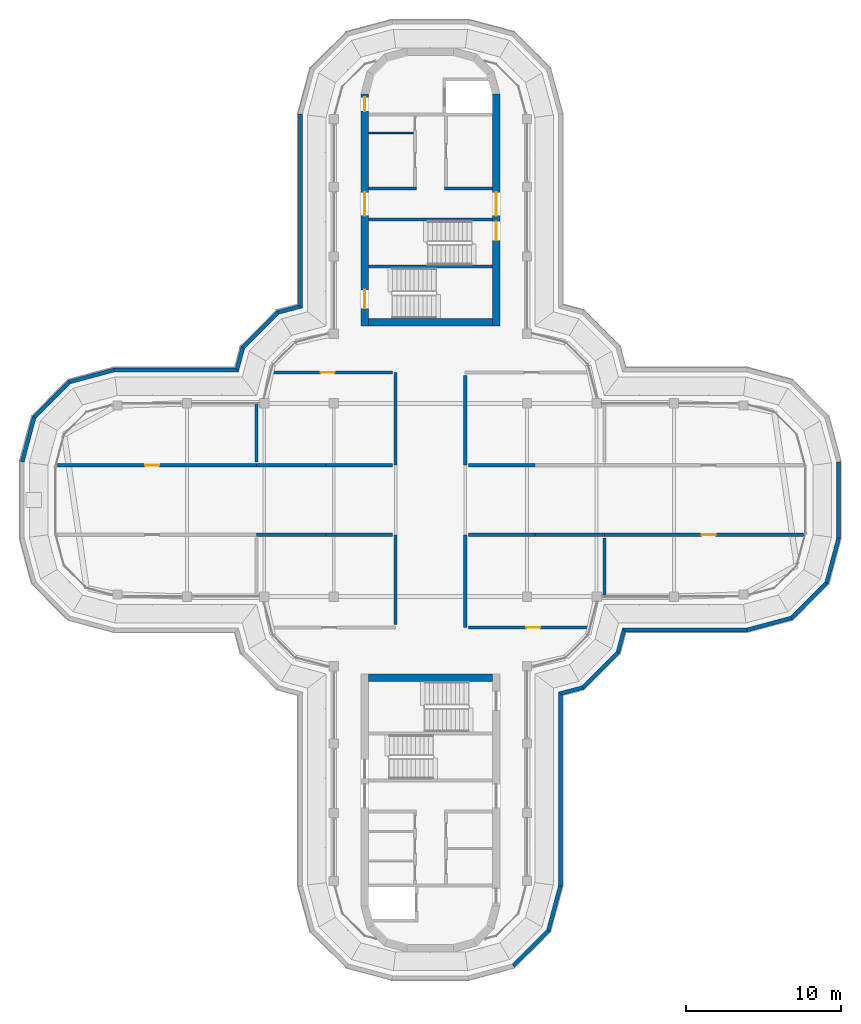
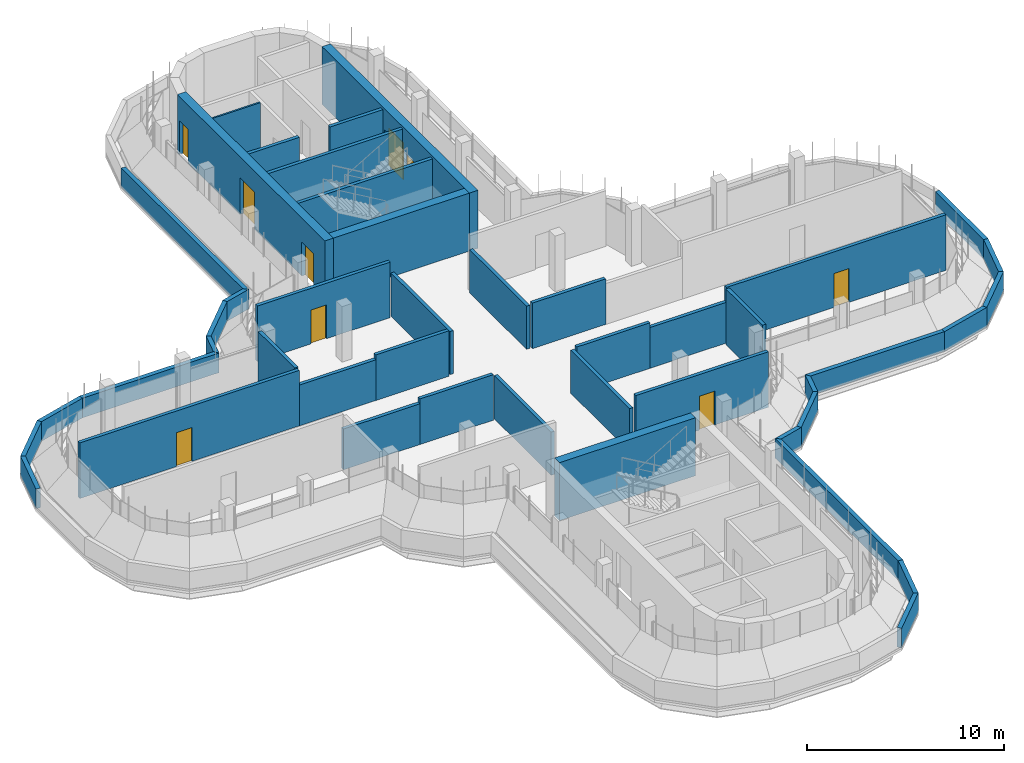
# One storey, part 13 of 19: 45 walls, 9 doors, 9 openings.
"""IFC4 building model written with IfcOpenShell, lengths in metres."""

from ifc_helpers import new_model, si_unit, direction, frame, frame_2d, origin, place, context, subcontext, project, spatial, polyline, rectangle, outline, extrude, material, layer, layer_set, type_object, element, fill, save


model = new_model("IFC4")

# Units and contexts
model_context = context("Model", 3, precision=1e-05, world=origin(), true_north=direction((0.0, 1.0)))
body_context = subcontext(model_context, "Body", "Model", "MODEL_VIEW")
ifc_project = project(units=[si_unit("LENGTHUNIT", "METRE"), si_unit("AREAUNIT", "SQUARE_METRE"), si_unit("VOLUMEUNIT", "CUBIC_METRE"), si_unit("PLANEANGLEUNIT", "RADIAN"), si_unit("MASSUNIT", "GRAM", prefix="KILO")], contexts=[model_context])

# Site, building, storey
site_placement = place(None, origin())
site = spatial("IfcSite", under=ifc_project, at=site_placement, CompositionType="ELEMENT")
building_placement = place(site_placement, origin())
building = spatial("IfcBuilding", under=site, at=building_placement, Name="Zarbagh Exchange Tower", CompositionType="ELEMENT")
storey_placement = place(building_placement, frame((0.0, 0.0, 295.199951171875)))
storey = spatial("IfcBuildingStorey", under=building, at=storey_placement, Name="L72", CompositionType="ELEMENT", Elevation=295.199951171875)

# Walls
ifc_material_1 = material(Name="Dense blockwork", Category="masonry")
ifc_layer_1 = layer(ifc_material_1, 0.10009765625)
ifc_layer_set_1 = layer_set([ifc_layer_1], Name="Core partition 100 mm blockwork")
wall_type_1 = type_object("IfcWallType", Name="Core partition 100 mm blockwork", PredefinedType="PARTITIONING", material=ifc_layer_set_1)
wall_1_placement = place(storey_placement, frame((-4.0, 23.75, 0.0), z_axis=(0.0, 0.0, 1.0), x_axis=(1.0, 0.0, 0.0)))
element("IfcWall", 1, at=wall_1_placement, inside=storey, type_object=wall_type_1, Name="North core partition wall CUT-W-460", PredefinedType="PARTITIONING", context=body_context, shape_type="SweptSolid", body=[
    extrude(rectangle(XDim=2.89990234375, YDim=0.10009765625, at=frame_2d((1.449951171875, 0.0))), origin(), (0.0, 0.0, 1.0), 3.449951171875),
])
ifc_material_2 = material(Name="Concrete block partition", Category="concrete")
ifc_layer_2 = layer(ifc_material_2, 0.199951171875)
ifc_layer_set_2 = layer_set([ifc_layer_2], Name="Fire-rated block partition 200 EI 60")
wall_type_2 = type_object("IfcWallType", Name="Fire-rated block partition 200 EI 60", PredefinedType="PARTITIONING", material=ifc_layer_set_2)
wall_2_placement = place(storey_placement, frame((2.25, 8.050048828125, 0.0), z_axis=(0.0, 0.0, 1.0), x_axis=(0.0, -1.0, 0.0)))
element("IfcWall", 2, at=wall_2_placement, inside=storey, type_object=wall_type_2, Name="WL-L72-W002", PredefinedType="PARTITIONING", context=body_context, shape_type="SweptSolid", body=[
    extrude(rectangle(XDim=5.800048828125, YDim=0.199951171875, at=frame_2d((2.89990234375, 0.0))), origin(), (0.0, 0.0, 1.0), 2.680908203125),
])
wall_3_placement = place(storey_placement, frame((2.25, -2.25, 0.0), z_axis=(0.0, 0.0, 1.0), x_axis=(0.0, -1.0, 0.0)))
element("IfcWall", 3, at=wall_3_placement, inside=storey, type_object=wall_type_2, Name="WL-L72-W003", PredefinedType="PARTITIONING", context=body_context, shape_type="SweptSolid", body=[
    extrude(rectangle(XDim=6.0, YDim=0.199951171875, at=frame_2d((3.0, 0.0))), origin(), (0.0, 0.0, 1.0), 2.680908203125),
])

# Wall, opening, door
wall_4_placement = place(storey_placement, frame((2.449951171875, -8.25, 0.0), z_axis=(0.0, 0.0, 1.0), x_axis=(1.0, 0.0, 0.0)))
wall_4 = element("IfcWall", 4, at=wall_4_placement, inside=storey, type_object=wall_type_2, Name="WL-L72-W004", PredefinedType="PARTITIONING", context=body_context, shape_type="SweptSolid", body=[
    extrude(rectangle(XDim=7.7880859375, YDim=0.199951171875, at=frame_2d((3.89404296875, 0.0))), origin(), (0.0, 0.0, 1.0), 3.449951171875),
])
opening_1_placement = place(wall_4_placement, frame((3.7490234375, 0.0, 0.0)))
opening_1 = element("IfcOpeningElement", 5, at=opening_1_placement, cuts=wall_4, Name="Opening D02", PredefinedType="OPENING", context=body_context, shape_type="SweptSolid", body=[
    extrude(rectangle(XDim=0.89990234375, YDim=2.10009765625, at=frame_2d((0.449951171875, 1.050048828125))), frame((0.0, 0.10986328125, 0.0), z_axis=(0.0, -1.0, 0.0), x_axis=(1.0, 0.0, 0.0)), (0.0, 0.0, 1.0), 0.219970703125),
])
ifc_material_3 = material(Name="Steel door set", Category="steel")
door_type_1 = type_object("IfcDoorType", Name="Door single 900x2100 EI 60", OperationType="SINGLE_SWING_LEFT", PredefinedType="DOOR", material=ifc_material_3)
door_1_placement = place(opening_1_placement, origin())
door_1 = element("IfcDoor", 6, at=door_1_placement, inside=storey, type_object=door_type_1, Name="D02", OperationType="SINGLE_SWING_LEFT", OverallHeight=2.10009765625, OverallWidth=0.89990234375, PredefinedType="DOOR", context=body_context, shape_type="SweptSolid", body=[
    extrude(rectangle(XDim=0.89990234375, YDim=2.10009765625, at=frame_2d((0.449951171875, 1.050048828125))), frame((0.0, 0.02490234375, 0.0), z_axis=(0.0, -1.0, 0.0), x_axis=(1.0, 0.0, 0.0)), (0.0, 0.0, 1.0), 0.050048828125),
])
fill(opening_1, door_1)

# Wall
wall_5_placement = place(storey_placement, frame((-2.25, 2.25, 0.0), z_axis=(0.0, 0.0, 1.0), x_axis=(0.0, 1.0, 0.0)))
element("IfcWall", 7, at=wall_5_placement, inside=storey, type_object=wall_type_2, Name="WL-L72-W005", PredefinedType="PARTITIONING", context=body_context, shape_type="SweptSolid", body=[
    extrude(rectangle(XDim=6.0, YDim=0.199951171875, at=frame_2d((3.0, 0.0))), origin(), (0.0, 0.0, 1.0), 2.680908203125),
])

# Wall, opening, door
wall_6_placement = place(storey_placement, frame((-2.449951171875, 8.25, 0.0), z_axis=(0.0, 0.0, 1.0), x_axis=(-1.0, 0.0, 0.0)))
wall_6 = element("IfcWall", 8, at=wall_6_placement, inside=storey, type_object=wall_type_2, Name="WL-L72-W006", PredefinedType="PARTITIONING", context=body_context, shape_type="SweptSolid", body=[
    extrude(rectangle(XDim=7.7880859375, YDim=0.199951171875, at=frame_2d((3.89404296875, 0.0))), origin(), (0.0, 0.0, 1.0), 3.449951171875),
])
opening_2_placement = place(wall_6_placement, frame((3.7490234375, 0.0, 0.0)))
opening_2 = element("IfcOpeningElement", 9, at=opening_2_placement, cuts=wall_6, Name="Opening D03", PredefinedType="OPENING", context=body_context, shape_type="SweptSolid", body=[
    extrude(rectangle(XDim=0.89990234375, YDim=2.10009765625, at=frame_2d((0.449951171875, 1.050048828125))), frame((0.0, 0.10986328125, 0.0), z_axis=(0.0, -1.0, 0.0), x_axis=(1.0, 0.0, 0.0)), (0.0, 0.0, 1.0), 0.219970703125),
])
door_2_placement = place(opening_2_placement, origin())
door_2 = element("IfcDoor", 10, at=door_2_placement, inside=storey, type_object=door_type_1, Name="D03", OperationType="SINGLE_SWING_LEFT", OverallHeight=2.10009765625, OverallWidth=0.89990234375, PredefinedType="DOOR", context=body_context, shape_type="SweptSolid", body=[
    extrude(rectangle(XDim=0.89990234375, YDim=2.10009765625, at=frame_2d((0.449951171875, 1.050048828125))), frame((0.0, 0.02490234375, 0.0), z_axis=(0.0, -1.0, 0.0), x_axis=(1.0, 0.0, 0.0)), (0.0, 0.0, 1.0), 0.050048828125),
])
fill(opening_2, door_2)

# Walls
wall_7_placement = place(storey_placement, frame((-2.25, -8.050048828125, 0.0), z_axis=(0.0, 0.0, 1.0), x_axis=(0.0, 1.0, 0.0)))
element("IfcWall", 11, at=wall_7_placement, inside=storey, type_object=wall_type_2, Name="WL-L72-W008", PredefinedType="PARTITIONING", context=body_context, shape_type="SweptSolid", body=[
    extrude(rectangle(XDim=5.800048828125, YDim=0.199951171875, at=frame_2d((2.89990234375, 0.0))), origin(), (0.0, 0.0, 1.0), 2.680908203125),
])
wall_8_placement = place(storey_placement, frame((6.75, 2.25, 0.0), z_axis=(0.0, 0.0, 1.0), x_axis=(-1.0, 0.0, 0.0)))
element("IfcWall", 12, at=wall_8_placement, inside=storey, type_object=wall_type_2, Name="WL-L72-W011", PredefinedType="PARTITIONING", context=body_context, shape_type="SweptSolid", body=[
    extrude(rectangle(XDim=4.300048828125, YDim=0.199951171875, at=frame_2d((2.14990234375, 0.0))), origin(), (0.0, 0.0, 1.0), 2.828125),
])
wall_9_placement = place(storey_placement, frame((6.75, -2.25, 0.0), z_axis=(0.0, 0.0, 1.0), x_axis=(1.0, 0.0, 0.0)))
element("IfcWall", 13, at=wall_9_placement, inside=storey, type_object=wall_type_2, Name="WL-L72-W012", PredefinedType="PARTITIONING", context=body_context, shape_type="SweptSolid", body=[
    extrude(rectangle(XDim=4.5, YDim=0.199951171875, at=frame_2d((2.25, 0.0))), origin(), (0.0, 0.0, 1.0), 2.530029296875),
])
wall_10_placement = place(storey_placement, frame((11.25, -2.449951171875, 0.0), z_axis=(0.0, 0.0, 1.0), x_axis=(0.0, -1.0, 0.0)))
element("IfcWall", 14, at=wall_10_placement, inside=storey, type_object=wall_type_2, Name="WL-L72-W013", PredefinedType="PARTITIONING", context=body_context, shape_type="SweptSolid", body=[
    extrude(rectangle(XDim=3.719970703125, YDim=0.199951171875, at=frame_2d((1.85986328125, 0.0))), origin(), (0.0, 0.0, 1.0), 3.449951171875),
])
wall_11_placement = place(storey_placement, frame((2.449951171875, -2.25, 0.0), z_axis=(0.0, 0.0, 1.0), x_axis=(1.0, 0.0, 0.0)))
element("IfcWall", 15, at=wall_11_placement, inside=storey, type_object=wall_type_2, Name="WL-L72-W014", PredefinedType="PARTITIONING", context=body_context, shape_type="SweptSolid", body=[
    extrude(rectangle(XDim=4.300048828125, YDim=0.199951171875, at=frame_2d((2.14990234375, 0.0))), origin(), (0.0, 0.0, 1.0), 2.828125),
])
wall_12_placement = place(storey_placement, frame((-6.75, 2.25, 0.0), z_axis=(0.0, 0.0, 1.0), x_axis=(-1.0, 0.0, 0.0)))
element("IfcWall", 16, at=wall_12_placement, inside=storey, type_object=wall_type_2, Name="WL-L72-W015", PredefinedType="PARTITIONING", context=body_context, shape_type="SweptSolid", body=[
    extrude(rectangle(XDim=4.5, YDim=0.199951171875, at=frame_2d((2.25, 0.0))), origin(), (0.0, 0.0, 1.0), 2.530029296875),
])
wall_13_placement = place(storey_placement, frame((-11.25, 2.449951171875, 0.0), z_axis=(0.0, 0.0, 1.0), x_axis=(0.0, 1.0, 0.0)))
element("IfcWall", 17, at=wall_13_placement, inside=storey, type_object=wall_type_2, Name="WL-L72-W016", PredefinedType="PARTITIONING", context=body_context, shape_type="SweptSolid", body=[
    extrude(rectangle(XDim=3.719970703125, YDim=0.199951171875, at=frame_2d((1.85986328125, 0.0))), origin(), (0.0, 0.0, 1.0), 3.449951171875),
])
wall_14_placement = place(storey_placement, frame((-2.449951171875, 2.25, 0.0), z_axis=(0.0, 0.0, 1.0), x_axis=(-1.0, 0.0, 0.0)))
element("IfcWall", 18, at=wall_14_placement, inside=storey, type_object=wall_type_2, Name="WL-L72-W017", PredefinedType="PARTITIONING", context=body_context, shape_type="SweptSolid", body=[
    extrude(rectangle(XDim=4.300048828125, YDim=0.199951171875, at=frame_2d((2.14990234375, 0.0))), origin(), (0.0, 0.0, 1.0), 2.828125),
])
wall_15_placement = place(storey_placement, frame((-11.25, -2.25, 0.0), z_axis=(0.0, 0.0, 1.0), x_axis=(1.0, 0.0, 0.0)))
element("IfcWall", 19, at=wall_15_placement, inside=storey, type_object=wall_type_2, Name="WL-L72-W018", PredefinedType="PARTITIONING", context=body_context, shape_type="SweptSolid", body=[
    extrude(rectangle(XDim=4.5, YDim=0.199951171875, at=frame_2d((2.25, 0.0))), origin(), (0.0, 0.0, 1.0), 2.530029296875),
])
wall_16_placement = place(storey_placement, frame((-6.75, -2.25, 0.0), z_axis=(0.0, 0.0, 1.0), x_axis=(1.0, 0.0, 0.0)))
element("IfcWall", 20, at=wall_16_placement, inside=storey, type_object=wall_type_2, Name="WL-L72-W020", PredefinedType="PARTITIONING", context=body_context, shape_type="SweptSolid", body=[
    extrude(rectangle(XDim=4.300048828125, YDim=0.199951171875, at=frame_2d((2.14990234375, 0.0))), origin(), (0.0, 0.0, 1.0), 2.828125),
])

# Wall, opening, door
wall_17_placement = place(storey_placement, frame((24.139892578125, -2.25, 0.0), z_axis=(0.0, 0.0, 1.0), x_axis=(-1.0, 0.0, 0.0)))
wall_17 = element("IfcWall", 21, at=wall_17_placement, inside=storey, type_object=wall_type_2, Name="WL-L72-W022", PredefinedType="PARTITIONING", context=body_context, shape_type="SweptSolid", body=[
    extrude(rectangle(XDim=12.889892578125, YDim=0.199951171875, at=frame_2d((6.44482421875, 0.0))), origin(), (0.0, 0.0, 1.0), 3.449951171875),
])
opening_3_placement = place(wall_17_placement, frame((5.68994140625, 0.0, 0.0)))
opening_3 = element("IfcOpeningElement", 22, at=opening_3_placement, cuts=wall_17, Name="Opening D06", PredefinedType="OPENING", context=body_context, shape_type="SweptSolid", body=[
    extrude(rectangle(XDim=0.89990234375, YDim=2.10009765625, at=frame_2d((0.449951171875, 1.050048828125))), frame((0.0, 0.10986328125, 0.0), z_axis=(0.0, -1.0, 0.0), x_axis=(1.0, 0.0, 0.0)), (0.0, 0.0, 1.0), 0.219970703125),
])
door_3_placement = place(opening_3_placement, origin())
door_3 = element("IfcDoor", 23, at=door_3_placement, inside=storey, type_object=door_type_1, Name="D06", OperationType="SINGLE_SWING_LEFT", OverallHeight=2.10009765625, OverallWidth=0.89990234375, PredefinedType="DOOR", context=body_context, shape_type="SweptSolid", body=[
    extrude(rectangle(XDim=0.89990234375, YDim=2.10009765625, at=frame_2d((0.449951171875, 1.050048828125))), frame((0.0, 0.02490234375, 0.0), z_axis=(0.0, -1.0, 0.0), x_axis=(1.0, 0.0, 0.0)), (0.0, 0.0, 1.0), 0.050048828125),
])
fill(opening_3, door_3)

wall_18_placement = place(storey_placement, frame((-24.139892578125, 2.25, 0.0), z_axis=(0.0, 0.0, 1.0), x_axis=(1.0, 0.0, 0.0)))
wall_18 = element("IfcWall", 24, at=wall_18_placement, inside=storey, type_object=wall_type_2, Name="WL-L72-W023", PredefinedType="PARTITIONING", context=body_context, shape_type="SweptSolid", body=[
    extrude(rectangle(XDim=12.889892578125, YDim=0.199951171875, at=frame_2d((6.44482421875, 0.0))), origin(), (0.0, 0.0, 1.0), 3.449951171875),
])
opening_4_placement = place(wall_18_placement, frame((5.68994140625, 0.0, 0.0)))
opening_4 = element("IfcOpeningElement", 25, at=opening_4_placement, cuts=wall_18, Name="Opening D46", PredefinedType="OPENING", context=body_context, shape_type="SweptSolid", body=[
    extrude(rectangle(XDim=0.89990234375, YDim=2.10009765625, at=frame_2d((0.449951171875, 1.050048828125))), frame((0.0, 0.10986328125, 0.0), z_axis=(0.0, -1.0, 0.0), x_axis=(1.0, 0.0, 0.0)), (0.0, 0.0, 1.0), 0.219970703125),
])
door_4_placement = place(opening_4_placement, origin())
door_4 = element("IfcDoor", 26, at=door_4_placement, inside=storey, type_object=door_type_1, Name="D07", OperationType="SINGLE_SWING_LEFT", OverallHeight=2.10009765625, OverallWidth=0.89990234375, PredefinedType="DOOR", context=body_context, shape_type="SweptSolid", body=[
    extrude(rectangle(XDim=0.89990234375, YDim=2.10009765625, at=frame_2d((0.449951171875, 1.050048828125))), frame((0.0, 0.02490234375, 0.0), z_axis=(0.0, -1.0, 0.0), x_axis=(1.0, 0.0, 0.0)), (0.0, 0.0, 1.0), 0.050048828125),
])
fill(opening_4, door_4)

# Walls
ifc_material_4 = material(Name="Concrete C40/50", Category="concrete")
ifc_layer_3 = layer(ifc_material_4, 0.25)
ifc_layer_set_3 = layer_set([ifc_layer_3], Name="Parapet wall, concrete C40/50")
wall_type_3 = type_object("IfcWallType", Name="Parapet wall, concrete C40/50", PredefinedType="PARAPET", material=ifc_layer_set_3)
wall_19_placement = place(storey_placement, origin())
element("IfcWall", 27, at=wall_19_placement, inside=storey, type_object=wall_type_3, Name="roof parapet", PredefinedType="PARAPET", context=body_context, shape_type="SweptSolid", body=[
    extrude(outline(polyline([(-26.530029296875, 2.484375), (-25.742919921875, 5.42138671875), (-25.518798828125, 5.2919921875), (-26.280029296875, 2.451416015625), (-26.530029296875, 2.484375)])), origin(), (0.0, 0.0, 1.0), 1.219970703125),
])
wall_20_placement = place(storey_placement, origin())
element("IfcWall", 28, at=wall_20_placement, inside=storey, type_object=wall_type_3, Name="roof parapet", PredefinedType="PARAPET", context=body_context, shape_type="SweptSolid", body=[
    extrude(outline(polyline([(-25.742919921875, 5.42138671875), (-23.42138671875, 7.742919921875), (-23.2919921875, 7.518798828125), (-25.518798828125, 5.2919921875), (-25.742919921875, 5.42138671875)])), origin(), (0.0, 0.0, 1.0), 1.219970703125),
])
wall_21_placement = place(storey_placement, origin())
element("IfcWall", 29, at=wall_21_placement, inside=storey, type_object=wall_type_3, Name="roof parapet", PredefinedType="PARAPET", context=body_context, shape_type="SweptSolid", body=[
    extrude(outline(polyline([(-23.42138671875, 7.742919921875), (-20.484375, 8.530029296875), (-20.451416015625, 8.280029296875), (-23.2919921875, 7.518798828125), (-23.42138671875, 7.742919921875)])), origin(), (0.0, 0.0, 1.0), 1.219970703125),
])
wall_22_placement = place(storey_placement, origin())
element("IfcWall", 30, at=wall_22_placement, inside=storey, type_object=wall_type_3, Name="roof parapet", PredefinedType="PARAPET", context=body_context, shape_type="SweptSolid", body=[
    extrude(outline(polyline([(-20.484375, 8.530029296875), (-12.61572265625, 8.530029296875), (-12.424072265625, 8.280029296875), (-20.451416015625, 8.280029296875), (-20.484375, 8.530029296875)])), origin(), (0.0, 0.0, 1.0), 1.219970703125),
])
wall_23_placement = place(storey_placement, origin())
element("IfcWall", 31, at=wall_23_placement, inside=storey, type_object=wall_type_3, Name="roof parapet", PredefinedType="PARAPET", context=body_context, shape_type="SweptSolid", body=[
    extrude(outline(polyline([(-12.61572265625, 8.530029296875), (-12.242919921875, 9.92138671875), (-12.018798828125, 9.7919921875), (-12.424072265625, 8.280029296875), (-12.61572265625, 8.530029296875)])), origin(), (0.0, 0.0, 1.0), 1.219970703125),
])
wall_24_placement = place(storey_placement, origin())
element("IfcWall", 32, at=wall_24_placement, inside=storey, type_object=wall_type_3, Name="roof parapet", PredefinedType="PARAPET", context=body_context, shape_type="SweptSolid", body=[
    extrude(outline(polyline([(-12.242919921875, 9.92138671875), (-9.92138671875, 12.242919921875), (-9.7919921875, 12.018798828125), (-12.018798828125, 9.7919921875), (-12.242919921875, 9.92138671875)])), origin(), (0.0, 0.0, 1.0), 1.219970703125),
])
wall_25_placement = place(storey_placement, origin())
element("IfcWall", 33, at=wall_25_placement, inside=storey, type_object=wall_type_3, Name="roof parapet", PredefinedType="PARAPET", context=body_context, shape_type="SweptSolid", body=[
    extrude(outline(polyline([(-9.92138671875, 12.242919921875), (-8.530029296875, 12.61572265625), (-8.280029296875, 12.424072265625), (-9.7919921875, 12.018798828125), (-9.92138671875, 12.242919921875)])), origin(), (0.0, 0.0, 1.0), 1.219970703125),
])
wall_26_placement = place(storey_placement, origin())
element("IfcWall", 34, at=wall_26_placement, inside=storey, type_object=wall_type_3, Name="roof parapet", PredefinedType="PARAPET", context=body_context, shape_type="SweptSolid", body=[
    extrude(outline(polyline([(-8.530029296875, 12.61572265625), (-8.530029296875, 24.984375), (-8.280029296875, 24.951416015625), (-8.280029296875, 12.424072265625), (-8.530029296875, 12.61572265625)])), origin(), (0.0, 0.0, 1.0), 1.219970703125),
])
wall_27_placement = place(storey_placement, origin())
element("IfcWall", 35, at=wall_27_placement, inside=storey, type_object=wall_type_3, Name="roof parapet", PredefinedType="PARAPET", context=body_context, shape_type="SweptSolid", body=[
    extrude(outline(polyline([(26.530029296875, 2.484375), (26.530029296875, -2.484375), (26.280029296875, -2.451416015625), (26.280029296875, 2.451416015625), (26.530029296875, 2.484375)])), origin(), (0.0, 0.0, 1.0), 1.219970703125),
])
wall_28_placement = place(storey_placement, origin())
element("IfcWall", 36, at=wall_28_placement, inside=storey, type_object=wall_type_3, Name="roof parapet", PredefinedType="PARAPET", context=body_context, shape_type="SweptSolid", body=[
    extrude(outline(polyline([(26.530029296875, -2.484375), (25.742919921875, -5.42138671875), (25.518798828125, -5.2919921875), (26.280029296875, -2.451416015625), (26.530029296875, -2.484375)])), origin(), (0.0, 0.0, 1.0), 1.219970703125),
])
wall_29_placement = place(storey_placement, origin())
element("IfcWall", 37, at=wall_29_placement, inside=storey, type_object=wall_type_3, Name="roof parapet", PredefinedType="PARAPET", context=body_context, shape_type="SweptSolid", body=[
    extrude(outline(polyline([(25.742919921875, -5.42138671875), (23.42138671875, -7.742919921875), (23.2919921875, -7.518798828125), (25.518798828125, -5.2919921875), (25.742919921875, -5.42138671875)])), origin(), (0.0, 0.0, 1.0), 1.219970703125),
])
wall_30_placement = place(storey_placement, origin())
element("IfcWall", 38, at=wall_30_placement, inside=storey, type_object=wall_type_3, Name="roof parapet", PredefinedType="PARAPET", context=body_context, shape_type="SweptSolid", body=[
    extrude(outline(polyline([(23.42138671875, -7.742919921875), (20.484375, -8.530029296875), (20.451416015625, -8.280029296875), (23.2919921875, -7.518798828125), (23.42138671875, -7.742919921875)])), origin(), (0.0, 0.0, 1.0), 1.219970703125),
])
wall_31_placement = place(storey_placement, origin())
element("IfcWall", 39, at=wall_31_placement, inside=storey, type_object=wall_type_3, Name="roof parapet", PredefinedType="PARAPET", context=body_context, shape_type="SweptSolid", body=[
    extrude(outline(polyline([(20.484375, -8.530029296875), (12.61572265625, -8.530029296875), (12.424072265625, -8.280029296875), (20.451416015625, -8.280029296875), (20.484375, -8.530029296875)])), origin(), (0.0, 0.0, 1.0), 1.219970703125),
])
wall_32_placement = place(storey_placement, origin())
element("IfcWall", 40, at=wall_32_placement, inside=storey, type_object=wall_type_3, Name="roof parapet", PredefinedType="PARAPET", context=body_context, shape_type="SweptSolid", body=[
    extrude(outline(polyline([(12.61572265625, -8.530029296875), (12.242919921875, -9.92138671875), (12.018798828125, -9.7919921875), (12.424072265625, -8.280029296875), (12.61572265625, -8.530029296875)])), origin(), (0.0, 0.0, 1.0), 1.219970703125),
])
wall_33_placement = place(storey_placement, origin())
element("IfcWall", 41, at=wall_33_placement, inside=storey, type_object=wall_type_3, Name="roof parapet", PredefinedType="PARAPET", context=body_context, shape_type="SweptSolid", body=[
    extrude(outline(polyline([(12.242919921875, -9.92138671875), (9.92138671875, -12.242919921875), (9.7919921875, -12.018798828125), (12.018798828125, -9.7919921875), (12.242919921875, -9.92138671875)])), origin(), (0.0, 0.0, 1.0), 1.219970703125),
])
wall_34_placement = place(storey_placement, origin())
element("IfcWall", 42, at=wall_34_placement, inside=storey, type_object=wall_type_3, Name="roof parapet", PredefinedType="PARAPET", context=body_context, shape_type="SweptSolid", body=[
    extrude(outline(polyline([(9.92138671875, -12.242919921875), (8.530029296875, -12.61572265625), (8.280029296875, -12.424072265625), (9.7919921875, -12.018798828125), (9.92138671875, -12.242919921875)])), origin(), (0.0, 0.0, 1.0), 1.219970703125),
])
wall_35_placement = place(storey_placement, origin())
element("IfcWall", 43, at=wall_35_placement, inside=storey, type_object=wall_type_3, Name="roof parapet", PredefinedType="PARAPET", context=body_context, shape_type="SweptSolid", body=[
    extrude(outline(polyline([(8.530029296875, -12.61572265625), (8.530029296875, -24.984375), (8.280029296875, -24.951416015625), (8.280029296875, -12.424072265625), (8.530029296875, -12.61572265625)])), origin(), (0.0, 0.0, 1.0), 1.219970703125),
])
wall_36_placement = place(storey_placement, origin())
element("IfcWall", 44, at=wall_36_placement, inside=storey, type_object=wall_type_3, Name="roof parapet", PredefinedType="PARAPET", context=body_context, shape_type="SweptSolid", body=[
    extrude(outline(polyline([(8.530029296875, -24.984375), (7.742919921875, -27.92138671875), (7.518798828125, -27.7919921875), (8.280029296875, -24.951416015625), (8.530029296875, -24.984375)])), origin(), (0.0, 0.0, 1.0), 1.219970703125),
])
wall_37_placement = place(storey_placement, origin())
element("IfcWall", 45, at=wall_37_placement, inside=storey, type_object=wall_type_3, Name="roof parapet", PredefinedType="PARAPET", context=body_context, shape_type="SweptSolid", body=[
    extrude(outline(polyline([(7.742919921875, -27.92138671875), (5.42138671875, -30.242919921875), (5.2919921875, -30.018798828125), (7.518798828125, -27.7919921875), (7.742919921875, -27.92138671875)])), origin(), (0.0, 0.0, 1.0), 1.219970703125),
])

# Wall, openings, doors
ifc_layer_4 = layer(ifc_material_4, 0.5)
ifc_layer_set_4 = layer_set([ifc_layer_4], Name="RC core wall 500 C40/50")
wall_type_4 = type_object("IfcWallType", Name="RC core wall 500 C40/50", PredefinedType="SHEAR", material=ifc_layer_set_4)
wall_38_placement = place(storey_placement, frame((-4.25, 11.25, 0.0), z_axis=(0.0, 0.0, 1.0), x_axis=(0.0, 1.0, 0.0)))
wall_38 = element("IfcWall", 46, at=wall_38_placement, inside=storey, type_object=wall_type_4, Name="CW9 core N W", PredefinedType="SHEAR", context=body_context, shape_type="SweptSolid", body=[
    extrude(rectangle(XDim=15.0, YDim=0.5, at=frame_2d((7.5, 0.0))), origin(), (0.0, 0.0, 1.0), 3.60009765625),
])
opening_5_placement = place(wall_38_placement, frame((7.14990234375, 0.0, 0.0)))
opening_5 = element("IfcOpeningElement", 47, at=opening_5_placement, cuts=wall_38, Name="Opening CD1-1500", PredefinedType="OPENING", context=body_context, shape_type="SweptSolid", body=[
    extrude(rectangle(XDim=1.5, YDim=2.300048828125, at=frame_2d((0.75, 1.14990234375))), frame((0.0, 0.260009765625, 0.0), z_axis=(0.0, -1.0, 0.0), x_axis=(1.0, 0.0, 0.0)), (0.0, 0.0, 1.0), 0.52001953125),
])
opening_6_placement = place(wall_38_placement, frame((13.89990234375, 0.0, 0.0)))
opening_6 = element("IfcOpeningElement", 48, at=opening_6_placement, cuts=wall_38, Name="Opening CD2-900", PredefinedType="OPENING", context=body_context, shape_type="SweptSolid", body=[
    extrude(rectangle(XDim=0.89990234375, YDim=2.10009765625, at=frame_2d((0.449951171875, 1.050048828125))), frame((0.0, 0.260009765625, 0.0), z_axis=(0.0, -1.0, 0.0), x_axis=(1.0, 0.0, 0.0)), (0.0, 0.0, 1.0), 0.52001953125),
])
opening_7_placement = place(wall_38_placement, frame((1.14990234375, 0.0, 0.0)))
opening_7 = element("IfcOpeningElement", 49, at=opening_7_placement, cuts=wall_38, Name="Opening SD1-1200", PredefinedType="OPENING", context=body_context, shape_type="SweptSolid", body=[
    extrude(rectangle(XDim=1.199951171875, YDim=2.10009765625, at=frame_2d((0.60009765625, 1.050048828125))), frame((0.0, 0.260009765625, 0.0), z_axis=(0.0, -1.0, 0.0), x_axis=(1.0, 0.0, 0.0)), (0.0, 0.0, 1.0), 0.52001953125),
])
ifc_material_5 = material(Name="Steel", Category="steel")
door_type_2 = type_object("IfcDoorType", Name="Exit stair door 1200 x 2100", OperationType="NOTDEFINED", PredefinedType="DOOR", material=ifc_material_5)
door_5_placement = place(opening_7_placement, origin())
door_5 = element("IfcDoor", 50, at=door_5_placement, inside=storey, type_object=door_type_2, Name="North core stair door ST2", OperationType="SINGLE_SWING_LEFT", OverallHeight=2.10009765625, OverallWidth=1.199951171875, PredefinedType="DOOR", context=body_context, shape_type="SweptSolid", body=[
    extrude(rectangle(XDim=1.199951171875, YDim=2.10009765625, at=frame_2d((0.60009765625, 1.050048828125))), frame((0.0, 0.02490234375, 0.0), z_axis=(0.0, -1.0, 0.0), x_axis=(1.0, 0.0, 0.0)), (0.0, 0.0, 1.0), 0.050048828125),
])
fill(opening_7, door_5)
door_type_3 = type_object("IfcDoorType", Name="Firefighting lobby door 900 x 2100", OperationType="NOTDEFINED", PredefinedType="DOOR", material=ifc_material_5)
door_6_placement = place(opening_6_placement, origin())
door_6 = element("IfcDoor", 51, at=door_6_placement, inside=storey, type_object=door_type_3, Name="North core firefighting lobby door FF-W", OperationType="SINGLE_SWING_RIGHT", OverallHeight=2.10009765625, OverallWidth=0.89990234375, PredefinedType="DOOR", context=body_context, shape_type="SweptSolid", body=[
    extrude(rectangle(XDim=0.89990234375, YDim=2.10009765625, at=frame_2d((0.449951171875, 1.050048828125))), frame((0.0, 0.02490234375, 0.0), z_axis=(0.0, -1.0, 0.0), x_axis=(1.0, 0.0, 0.0)), (0.0, 0.0, 1.0), 0.050048828125),
])
fill(opening_6, door_6)
door_type_4 = type_object("IfcDoorType", Name="Lift lobby double door 1500 x 2300", OperationType="NOTDEFINED", PredefinedType="DOOR", material=ifc_material_5)
door_7_placement = place(opening_5_placement, origin())
door_7 = element("IfcDoor", 52, at=door_7_placement, inside=storey, type_object=door_type_4, Name="North core lift lobby door LOBBY-W", OperationType="DOUBLE_DOOR_SINGLE_SWING", OverallHeight=2.300048828125, OverallWidth=1.5, PredefinedType="DOOR", context=body_context, shape_type="SweptSolid", body=[
    extrude(rectangle(XDim=1.5, YDim=2.300048828125, at=frame_2d((0.75, 1.14990234375))), frame((0.0, 0.02490234375, 0.0), z_axis=(0.0, -1.0, 0.0), x_axis=(1.0, 0.0, 0.0)), (0.0, 0.0, 1.0), 0.050048828125),
])
fill(opening_5, door_7)

wall_39_placement = place(storey_placement, frame((4.25, 11.25, 0.0), z_axis=(0.0, 0.0, 1.0), x_axis=(0.0, 1.0, 0.0)))
wall_39 = element("IfcWall", 53, at=wall_39_placement, inside=storey, type_object=wall_type_4, Name="CW9 core N E", PredefinedType="SHEAR", context=body_context, shape_type="SweptSolid", body=[
    extrude(rectangle(XDim=15.0, YDim=0.5, at=frame_2d((7.5, 0.0))), origin(), (0.0, 0.0, 1.0), 3.60009765625),
])
opening_8_placement = place(wall_39_placement, frame((7.14990234375, 0.0, 0.0)))
opening_8 = element("IfcOpeningElement", 54, at=opening_8_placement, cuts=wall_39, Name="Opening CD1-1500", PredefinedType="OPENING", context=body_context, shape_type="SweptSolid", body=[
    extrude(rectangle(XDim=1.5, YDim=2.300048828125, at=frame_2d((0.75, 1.14990234375))), frame((0.0, 0.260009765625, 0.0), z_axis=(0.0, -1.0, 0.0), x_axis=(1.0, 0.0, 0.0)), (0.0, 0.0, 1.0), 0.52001953125),
])
opening_9_placement = place(wall_39_placement, frame((5.550048828125, 0.0, 0.0)))
opening_9 = element("IfcOpeningElement", 55, at=opening_9_placement, cuts=wall_39, Name="Opening SD1-1200", PredefinedType="OPENING", context=body_context, shape_type="SweptSolid", body=[
    extrude(rectangle(XDim=1.199951171875, YDim=2.10009765625, at=frame_2d((0.60009765625, 1.050048828125))), frame((0.0, 0.260009765625, 0.0), z_axis=(0.0, -1.0, 0.0), x_axis=(1.0, 0.0, 0.0)), (0.0, 0.0, 1.0), 0.52001953125),
])
door_8_placement = place(opening_9_placement, origin())
door_8 = element("IfcDoor", 56, at=door_8_placement, inside=storey, type_object=door_type_2, Name="North core stair door ST1", OperationType="SINGLE_SWING_RIGHT", OverallHeight=2.10009765625, OverallWidth=1.199951171875, PredefinedType="DOOR", context=body_context, shape_type="SweptSolid", body=[
    extrude(rectangle(XDim=1.199951171875, YDim=2.10009765625, at=frame_2d((0.60009765625, 1.050048828125))), frame((0.0, 0.02490234375, 0.0), z_axis=(0.0, -1.0, 0.0), x_axis=(1.0, 0.0, 0.0)), (0.0, 0.0, 1.0), 0.050048828125),
])
fill(opening_9, door_8)
door_9_placement = place(opening_8_placement, origin())
door_9 = element("IfcDoor", 57, at=door_9_placement, inside=storey, type_object=door_type_4, Name="North core lift lobby door LOBBY-E", OperationType="DOUBLE_DOOR_SINGLE_SWING", OverallHeight=2.300048828125, OverallWidth=1.5, PredefinedType="DOOR", context=body_context, shape_type="SweptSolid", body=[
    extrude(rectangle(XDim=1.5, YDim=2.300048828125, at=frame_2d((0.75, 1.14990234375))), frame((0.0, 0.02490234375, 0.0), z_axis=(0.0, -1.0, 0.0), x_axis=(1.0, 0.0, 0.0)), (0.0, 0.0, 1.0), 0.050048828125),
])
fill(opening_8, door_9)

# Walls
for number, where, z_axis, x_axis, name in (
    (58, (-4.0, 11.5, 0.0), (0.0, 0.0, 1.0), (1.0, 0.0, 0.0), "CW9 core N inner end"),
    (59, (-4.0, -11.5, 0.0), (0.0, 0.0, 1.0), (1.0, 0.0, 0.0), "CW9 core S inner end"),
):
    element("IfcWall", number, at=place(storey_placement, frame(where, z_axis=z_axis, x_axis=x_axis)), inside=storey, type_object=wall_type_4, Name=name, PredefinedType="SHEAR", context=body_context, shape_type="SweptSolid", body=[
        extrude(rectangle(XDim=8.0, YDim=0.5, at=frame_2d((4.0, 0.0))), origin(), (0.0, 0.0, 1.0), 3.60009765625),
    ])
ifc_layer_5 = layer(ifc_material_1, 0.199951171875)
ifc_layer_set_5 = layer_set([ifc_layer_5], Name="Shaft wall 200 mm blockwork")
wall_type_5 = type_object("IfcWallType", Name="Shaft wall 200 mm blockwork", PredefinedType="PARTITIONING", material=ifc_layer_set_5)
for number, where, z_axis, x_axis, name in (
    (60, (-4.0, 20.14990234375, 0.0), (0.0, 0.0, 1.0), (1.0, 0.0, 0.0), "North core shaft wall AB-W"),
    (61, (0.89990234375, 20.14990234375, 0.0), (0.0, 0.0, 1.0), (1.0, 0.0, 0.0), "North core shaft wall AB-E"),
):
    element("IfcWall", number, at=place(storey_placement, frame(where, z_axis=z_axis, x_axis=x_axis)), inside=storey, type_object=wall_type_5, Name=name, PredefinedType="PARTITIONING", context=body_context, shape_type="SweptSolid", body=[
        extrude(rectangle(XDim=3.10009765625, YDim=0.199951171875, at=frame_2d((1.550048828125, 0.0))), origin(), (0.0, 0.0, 1.0), 3.449951171875),
    ])
ifc_layer_6 = layer(ifc_material_4, 0.199951171875)
ifc_layer_set_6 = layer_set([ifc_layer_6], Name="Stair enclosure wall 200 mm RC C40/50")
wall_type_6 = type_object("IfcWallType", Name="Stair enclosure wall 200 mm RC C40/50", PredefinedType="SHEAR", material=ifc_layer_set_6)
for number, where, z_axis, x_axis, name in (
    (62, (-4.0, 18.14990234375, 0.0), (0.0, 0.0, 1.0), (1.0, 0.0, 0.0), "North core stair wall BS"),
    (63, (-4.0, 15.10009765625, 0.0), (0.0, 0.0, 1.0), (1.0, 0.0, 0.0), "North core stair wall ST12"),
):
    element("IfcWall", number, at=place(storey_placement, frame(where, z_axis=z_axis, x_axis=x_axis)), inside=storey, type_object=wall_type_6, Name=name, PredefinedType="SHEAR", context=body_context, shape_type="SweptSolid", body=[
        extrude(rectangle(XDim=8.0, YDim=0.199951171875, at=frame_2d((4.0, 0.0))), origin(), (0.0, 0.0, 1.0), 3.449951171875),
    ])

save(model, "model.ifc")
